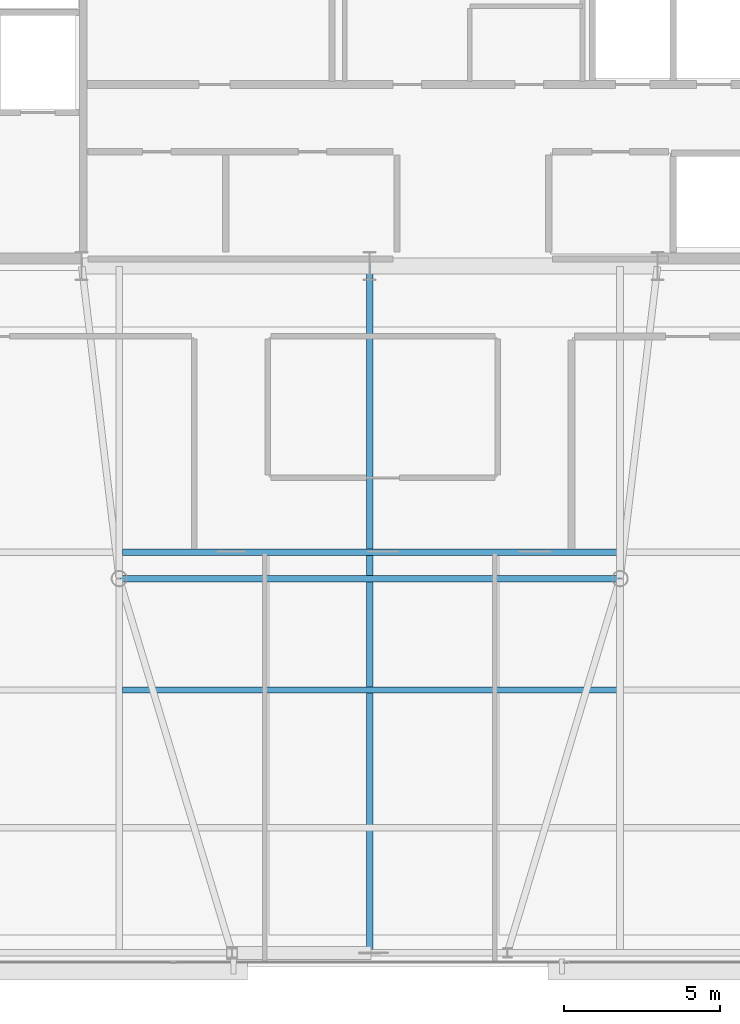
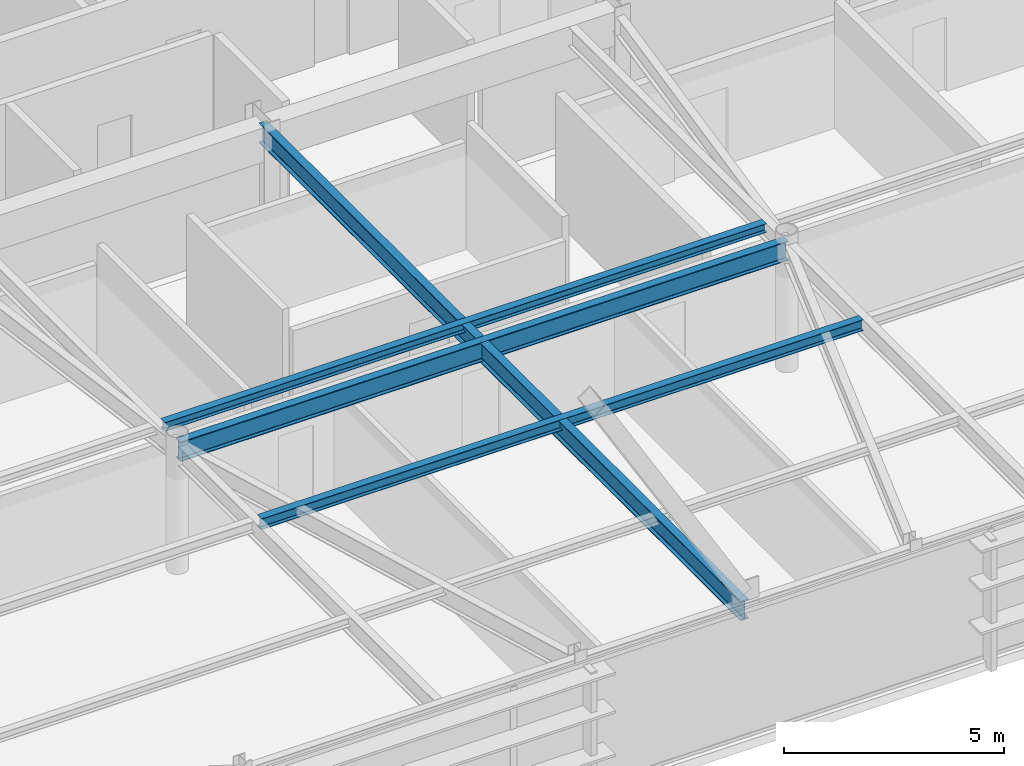
# One storey, part 9 of 24: 4 beams.
"""IFC4 building model written with IfcOpenShell, lengths in metres."""

from ifc_helpers import new_model, si_unit, direction, frame, origin, origin_2d, place, context, subcontext, project, spatial, i_section, extrude, source, transform, mapped, material, material_profile, profile_set, type_object, type_shapes, element, save


model = new_model("IFC4")

# Units and contexts
model_context = context("Model", 3, precision=1e-05, world=origin(), true_north=direction((0.0, 1.0)))
body_context = subcontext(model_context, "Body", "Model", "MODEL_VIEW")
ifc_project = project(units=[si_unit("LENGTHUNIT", "METRE"), si_unit("AREAUNIT", "SQUARE_METRE"), si_unit("VOLUMEUNIT", "CUBIC_METRE"), si_unit("PLANEANGLEUNIT", "RADIAN"), si_unit("MASSUNIT", "GRAM", prefix="KILO")], contexts=[model_context])

# Site, building, storey
site_placement = place(None, origin())
site = spatial("IfcSite", under=ifc_project, at=site_placement, CompositionType="ELEMENT")
building_placement = place(site_placement, origin())
building = spatial("IfcBuilding", under=site, at=building_placement, Name="Varnel Quay Broadcast Tower", CompositionType="ELEMENT")
storey_placement = place(building_placement, frame((0.0, 0.0, 277.39990234375)))
storey = spatial("IfcBuildingStorey", under=building, at=storey_placement, Name="L69", CompositionType="ELEMENT", Elevation=277.39990234375)

# Beams
ifc_material = material(Name="Structural Steel CSA G40.21 350W", Category="steel")
ifc_material_profile_1 = material_profile(ifc_material, i_section(OverallWidth=0.2119140625, OverallDepth=0.5439453125, WebThickness=0.01318359375, FlangeThickness=0.021240234375, FilletRadius=0.013916015625, at=origin_2d()), Name="W530X123")
ifc_profile_set_1 = profile_set([ifc_material_profile_1], Name="Structural Steel CSA G40.21 350W")
beam_type_1 = type_object("IfcBeamType", Name="Girder_W530X123", PredefinedType="BEAM", material=ifc_profile_set_1)
shared_shape_1 = source(origin(), body_context, "Body", "SweptSolid", [
    extrude(i_section(OverallWidth=0.2119140625, OverallDepth=0.5439453125, WebThickness=0.01318359375, FlangeThickness=0.021240234375, FilletRadius=0.013916015625, at=origin_2d()), origin(), (0.0, 0.0, 1.0), 15.9599609375),
])
beam_1_placement = place(storey_placement, frame((26.02001953125, 25.610107421875, 3.278076171875), z_axis=(1.0, 0.0, 0.0), x_axis=(0.0, 1.0, 0.0)))
element("IfcBeam", 1, at=beam_1_placement, inside=storey, type_object=beam_type_1, Name="L69 Interior Spine Girder", PredefinedType="BEAM", context=body_context, shape_type="MappedRepresentation", body=[
    mapped(shared_shape_1, transform((0.0, 0.0, 0.0), x_axis=(1.0, 0.0, 0.0), y_axis=(0.0, 1.0, 0.0), z_axis=(0.0, 0.0, 1.0), scale=1.0)),
])
shared_shape_2 = source(origin(), body_context, "Body", "SweptSolid", [
    extrude(i_section(OverallWidth=0.2119140625, OverallDepth=0.5439453125, WebThickness=0.01318359375, FlangeThickness=0.021240234375, FilletRadius=0.013916015625, at=origin_2d()), origin(), (0.0, 0.0, 1.0), 21.91015625),
])
type_shapes(beam_type_1, [shared_shape_1, shared_shape_2])
beam_2_placement = place(storey_placement, frame((34.0, 13.669921875, 3.278076171875), z_axis=(0.0, 1.0, 0.0), x_axis=(-1.0, 0.0, 0.0)))
element("IfcBeam", 2, at=beam_2_placement, inside=storey, type_object=beam_type_1, Name="L69 Central Bay Girder", PredefinedType="BEAM", context=body_context, shape_type="MappedRepresentation", body=[
    mapped(shared_shape_2, transform((0.0, 0.0, 0.0), x_axis=(1.0, 0.0, 0.0), y_axis=(0.0, 1.0, 0.0), z_axis=(0.0, 0.0, 1.0), scale=1.0)),
])
ifc_material_profile_2 = material_profile(ifc_material, i_section(OverallWidth=0.201904296875, OverallDepth=0.2470703125, WebThickness=0.00732421875, FlangeThickness=0.010986328125, FilletRadius=0.010986328125, at=origin_2d()), Name="W250X49")
ifc_profile_set_2 = profile_set([ifc_material_profile_2], Name="Structural Steel CSA G40.21 350W")
beam_type_2 = type_object("IfcBeamType", Name="Beam_W250X49", PredefinedType="JOIST", material=ifc_profile_set_2)
shared_shape_3 = source(origin(), body_context, "Body", "SweptSolid", [
    extrude(i_section(OverallWidth=0.201904296875, OverallDepth=0.2470703125, WebThickness=0.00732421875, FlangeThickness=0.010986328125, FilletRadius=0.010986328125, at=origin_2d()), origin(), (0.0, 0.0, 1.0), 15.7978515625),
])
type_shapes(beam_type_2, [shared_shape_3])
beam_3_placement = place(storey_placement, frame((26.10107421875, 26.449951171875, 3.426513671875), z_axis=(1.0, 0.0, 0.0), x_axis=(0.0, 1.0, 0.0)))
element("IfcBeam", 3, at=beam_3_placement, inside=storey, type_object=beam_type_2, Name="L69 Central Floor Joist 3", PredefinedType="JOIST", context=body_context, shape_type="MappedRepresentation", body=[
    mapped(shared_shape_3, transform((0.0, 0.0, 0.0), x_axis=(1.0, 0.0, 0.0), y_axis=(0.0, 1.0, 0.0), z_axis=(0.0, 0.0, 1.0), scale=1.0)),
])
ifc_material_profile_3 = material_profile(ifc_material, i_section(OverallWidth=0.202880859375, OverallDepth=0.302978515625, WebThickness=0.007568359375, FlangeThickness=0.01318359375, FilletRadius=0.011962890625, at=origin_2d()), Name="W310X60")
ifc_profile_set_3 = profile_set([ifc_material_profile_3], Name="Structural Steel CSA G40.21 350W")
beam_type_3 = type_object("IfcBeamType", Name="Beam_W310X60", PredefinedType="JOIST", material=ifc_profile_set_3)
shared_shape_4 = source(origin(), body_context, "Body", "SweptSolid", [
    extrude(i_section(OverallWidth=0.202880859375, OverallDepth=0.302978515625, WebThickness=0.007568359375, FlangeThickness=0.01318359375, FilletRadius=0.011962890625, at=origin_2d()), origin(), (0.0, 0.0, 1.0), 15.7978515625),
])
type_shapes(beam_type_3, [shared_shape_4])
beam_4_placement = place(storey_placement, frame((26.10107421875, 22.050048828125, 3.398681640625), z_axis=(1.0, 0.0, 0.0), x_axis=(0.0, 1.0, 0.0)))
element("IfcBeam", 4, at=beam_4_placement, inside=storey, type_object=beam_type_3, Name="L69 Central Floor Joist 2", PredefinedType="JOIST", context=body_context, shape_type="MappedRepresentation", body=[
    mapped(shared_shape_4, transform((0.0, 0.0, 0.0), x_axis=(1.0, 0.0, 0.0), y_axis=(0.0, 1.0, 0.0), z_axis=(0.0, 0.0, 1.0), scale=1.0)),
])

save(model, "model.ifc")
